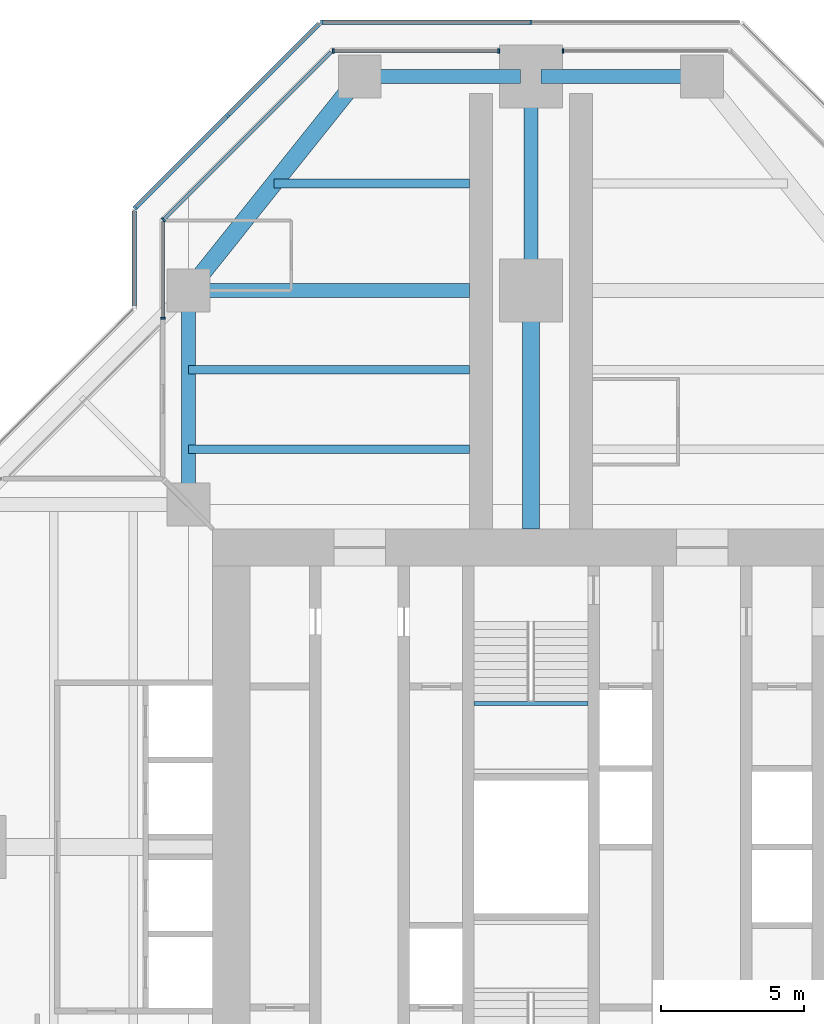
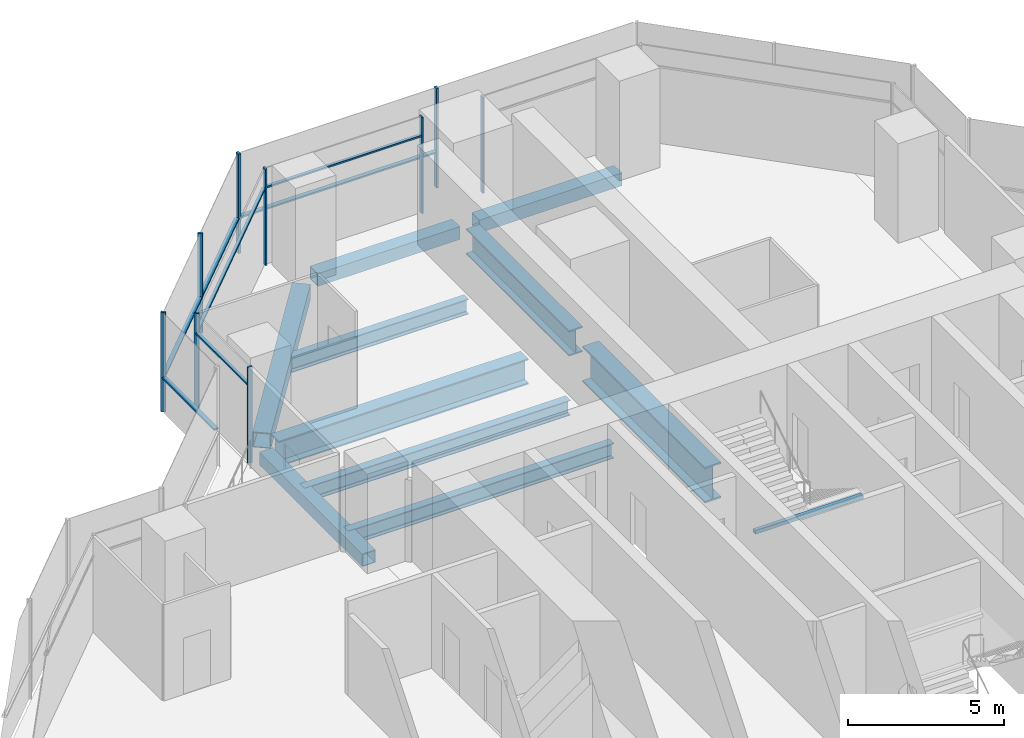
# One storey, part 7 of 17: 16 members, 11 beams, 7 elements without a shape of their own.
"""IFC4 building model written with IfcOpenShell, lengths in metres."""

from ifc_helpers import new_model, si_unit, direction, frame, origin, origin_2d, place, context, subcontext, project, spatial, rectangle, hollow_rectangle, i_section, extrude, material, material_profile, profile_set, type_object, element, aggregate, save


model = new_model("IFC4")

# Units and contexts
model_context = context("Model", 3, precision=1e-05, world=origin(), true_north=direction((0.0, 1.0)))
body_context = subcontext(model_context, "Body", "Model", "MODEL_VIEW")
ifc_project = project(units=[si_unit("LENGTHUNIT", "METRE"), si_unit("AREAUNIT", "SQUARE_METRE"), si_unit("VOLUMEUNIT", "CUBIC_METRE"), si_unit("PLANEANGLEUNIT", "RADIAN"), si_unit("MASSUNIT", "GRAM", prefix="KILO")], contexts=[model_context])

# Site, building, storey
site_placement = place(None, origin())
site = spatial("IfcSite", under=ifc_project, at=site_placement, CompositionType="ELEMENT")
building_placement = place(site_placement, origin())
building = spatial("IfcBuilding", under=site, at=building_placement, Name="Mizan Broadcast Tower", CompositionType="ELEMENT")
storey_placement = place(building_placement, frame((0.0, 0.0, 208.800048828125)))
storey = spatial("IfcBuildingStorey", under=building, at=storey_placement, Name="L48", CompositionType="ELEMENT", Elevation=208.800048828125)

# Beams
ifc_material_1 = material(Name="Steel S355", Category="steel")
ifc_material_profile_1 = material_profile(ifc_material_1, hollow_rectangle(XDim=0.5, YDim=0.5, WallThickness=0.030029296875, at=origin_2d()), Name="BOX 500x500x30")
ifc_profile_set_1 = profile_set([ifc_material_profile_1], Name="Steel S355")
beam_type_1 = type_object("IfcBeamType", Name="EDGE BEAM BOX 500x500x30", PredefinedType="SPANDREL", material=ifc_profile_set_1)
beam_1_placement = place(storey_placement, frame((5.639892578125, 27.0, -0.380126953125), z_axis=(-1.0, 0.0, 0.0), x_axis=(0.0, -1.0, 0.0)))
element("IfcBeam", 1, at=beam_1_placement, inside=storey, type_object=beam_type_1, Name="Edge beam BOX 500x500x30 L48 north arm", PredefinedType="SPANDREL", context=body_context, shape_type="SweptSolid", body=[
    extrude(hollow_rectangle(XDim=0.5, YDim=0.5, WallThickness=0.030029296875, at=origin_2d()), origin(), (0.0, 0.0, 1.0), 5.27978515625),
])
beam_2_placement = place(storey_placement, frame((-12.0, 12.449951171875, -0.380126953125), z_axis=(0.0, 1.0, 0.0), x_axis=(-1.0, 0.0, 0.0)))
element("IfcBeam", 2, at=beam_2_placement, inside=storey, type_object=beam_type_1, Name="Edge beam BOX 500x500x30 L48 north arm", PredefinedType="SPANDREL", context=body_context, shape_type="SweptSolid", body=[
    extrude(hollow_rectangle(XDim=0.5, YDim=0.5, WallThickness=0.030029296875, at=origin_2d()), origin(), (0.0, 0.0, 1.0), 6.60009765625),
])
beam_3_placement = place(storey_placement, frame((-5.639892578125, 27.0, -0.380126953125), z_axis=(1.0, 0.0, 0.0), x_axis=(0.0, 1.0, 0.0)))
element("IfcBeam", 3, at=beam_3_placement, inside=storey, type_object=beam_type_1, Name="Edge beam BOX 500x500x30 L48 north arm", PredefinedType="SPANDREL", context=body_context, shape_type="SweptSolid", body=[
    extrude(hollow_rectangle(XDim=0.5, YDim=0.5, WallThickness=0.030029296875, at=origin_2d()), origin(), (0.0, 0.0, 1.0), 5.27978515625),
])
ifc_material_2 = material(Name="Steel S355", Category="steel")
ifc_material_profile_2 = material_profile(ifc_material_2, hollow_rectangle(XDim=0.60009765625, YDim=0.60009765625, WallThickness=0.030029296875, at=origin_2d()), Name="BOX 600x600x30")
ifc_profile_set_2 = profile_set([ifc_material_profile_2], Name="Steel S355")
beam_type_2 = type_object("IfcBeamType", Name="EDGE BEAM BOX 600x600x30", PredefinedType="SPANDREL", material=ifc_profile_set_2)
beam_4_placement = place(storey_placement, frame((-11.639892578125, 19.949951171875, -0.429931640625), z_axis=(0.624673911726, 0.780885717636, 0.0), x_axis=(-0.780885717636, 0.624673911726, 0.0)))
element("IfcBeam", 4, at=beam_4_placement, inside=storey, type_object=beam_type_2, Name="Edge beam BOX 600x600x30 L48 north arm", PredefinedType="SPANDREL", context=body_context, shape_type="SweptSolid", body=[
    extrude(hollow_rectangle(XDim=0.60009765625, YDim=0.60009765625, WallThickness=0.030029296875, at=origin_2d()), origin(), (0.0, 0.0, 1.0), 8.4521484375),
])
ifc_material_3 = material(Name="Steel S460", Category="steel")
ifc_material_profile_3 = material_profile(ifc_material_3, i_section(OverallWidth=0.5, OverallDepth=1.0, WebThickness=0.02490234375, FlangeThickness=0.050048828125, at=origin_2d()), Name="WPG 1000x500")
ifc_profile_set_3 = profile_set([ifc_material_profile_3], Name="Steel S460")
beam_type_3 = type_object("IfcBeamType", Name="GIRDER WPG 1000x500", PredefinedType="BEAM", material=ifc_profile_set_3)
beam_5_placement = place(storey_placement, frame((0.0, 19.949951171875, -0.630126953125), z_axis=(0.0, 1.0, 0.0), x_axis=(-1.0, 0.0, 0.0)))
element("IfcBeam", 5, at=beam_5_placement, inside=storey, type_object=beam_type_3, Name="Girder WPG 1000x500 L48 north arm", PredefinedType="BEAM", context=body_context, shape_type="SweptSolid", body=[
    extrude(i_section(OverallWidth=0.5, OverallDepth=1.0, WebThickness=0.02490234375, FlangeThickness=0.050048828125, at=origin_2d()), origin(), (0.0, 0.0, 1.0), 6.60009765625),
])
beam_6_placement = place(storey_placement, frame((-11.408935546875, 19.5, -0.630126953125), z_axis=(1.0, 0.0, 0.0), x_axis=(0.0, 1.0, 0.0)))
element("IfcBeam", 6, at=beam_6_placement, inside=storey, type_object=beam_type_3, Name="Girder WPG 1000x500 L48 north arm", PredefinedType="BEAM", context=body_context, shape_type="SweptSolid", body=[
    extrude(i_section(OverallWidth=0.5, OverallDepth=1.0, WebThickness=0.02490234375, FlangeThickness=0.050048828125, at=origin_2d()), origin(), (0.0, 0.0, 1.0), 9.259033203125),
])
ifc_material_4 = material(Name="Steel S460", Category="steel")
ifc_material_profile_4 = material_profile(ifc_material_4, i_section(OverallWidth=0.60009765625, OverallDepth=1.39990234375, WebThickness=0.02490234375, FlangeThickness=0.06005859375, at=origin_2d()), Name="WPG 1400x600")
ifc_profile_set_4 = profile_set([ifc_material_profile_4], Name="Steel S460")
beam_type_4 = type_object("IfcBeamType", Name="GIRDER WPG 1400x600", PredefinedType="BEAM", material=ifc_profile_set_4)
beam_7_placement = place(storey_placement, frame((0.0, 11.14990234375, -0.830078125), z_axis=(0.0, 1.0, 0.0), x_axis=(-1.0, 0.0, 0.0)))
element("IfcBeam", 7, at=beam_7_placement, inside=storey, type_object=beam_type_4, Name="Girder WPG 1400x600 L48 north arm", PredefinedType="BEAM", context=body_context, shape_type="SweptSolid", body=[
    extrude(i_section(OverallWidth=0.60009765625, OverallDepth=1.39990234375, WebThickness=0.02490234375, FlangeThickness=0.06005859375, at=origin_2d()), origin(), (0.0, 0.0, 1.0), 7.84912109375),
])

# Curtain wall, member
ifc_material_5 = material(Name="Aluminium framed glazing", Category="aluminium")
curtain_wall_type_1 = type_object("IfcCurtainWallType", Name="INNER SKIN HIGH ZONE", PredefinedType="USERDEFINED", material=ifc_material_5)
curtain_wall_1_placement = place(storey_placement, origin())
curtain_wall_1 = element("IfcCurtainWall", 8, at=curtain_wall_1_placement, inside=storey, type_object=curtain_wall_type_1, Name="Inner skin high zone L48 N end", ObjectType="INNER SKIN HIGH ZONE", PredefinedType="USERDEFINED")
ifc_material_6 = material(Name="Aluminium, pale anodised", Category="aluminium")
ifc_material_profile_5 = material_profile(ifc_material_6, rectangle(XDim=0.159912109375, YDim=0.06005859375, at=origin_2d()), Name="MULLION 160x60")
ifc_profile_set_5 = profile_set([ifc_material_profile_5], Name="Aluminium, pale anodised")
member_type_1 = type_object("IfcMemberType", Name="INNER SKIN MULLION 60x160", PredefinedType="MULLION", material=ifc_profile_set_5)
member_1_placement = place(storey_placement, frame((1.1298828125, 27.89990234375, 0.0), z_axis=(0.0, 0.0, 1.0), x_axis=(0.0, -1.0, 0.0)))
member_1 = element("IfcMember", 9, at=member_1_placement, type_object=member_type_1, Name="Inner skin high zone L48 N end mullion 2", PredefinedType="MULLION", context=body_context, shape_type="SweptSolid", body=[
    extrude(rectangle(XDim=0.159912109375, YDim=0.06005859375, at=origin_2d()), origin(), (0.0, 0.0, 1.0), 3.77001953125),
])
aggregate(curtain_wall_1, [member_1])

# Curtain wall, members
curtain_wall_2_placement = place(storey_placement, origin())
curtain_wall_2 = element("IfcCurtainWall", 10, at=curtain_wall_2_placement, inside=storey, type_object=curtain_wall_type_1, Name="Inner skin high zone L48 N end", ObjectType="INNER SKIN HIGH ZONE", PredefinedType="USERDEFINED")
member_2_placement = place(storey_placement, frame((-1.1298828125, 27.89990234375, 0.0), z_axis=(0.0, 0.0, 1.0), x_axis=(0.0, -1.0, 0.0)))
member_2 = element("IfcMember", 11, at=member_2_placement, type_object=member_type_1, Name="Inner skin high zone L48 N end mullion 1", PredefinedType="MULLION", context=body_context, shape_type="SweptSolid", body=[
    extrude(rectangle(XDim=0.159912109375, YDim=0.06005859375, at=origin_2d()), origin(), (0.0, 0.0, 1.0), 3.77001953125),
])
member_3_placement = place(storey_placement, frame((-6.928466796875, 27.89990234375, 0.0), z_axis=(0.0, 0.0, 1.0), x_axis=(0.0, -1.0, 0.0)))
member_3 = element("IfcMember", 12, at=member_3_placement, type_object=member_type_1, Name="Inner skin high zone L48 N end mullion 2", PredefinedType="MULLION", context=body_context, shape_type="SweptSolid", body=[
    extrude(rectangle(XDim=0.159912109375, YDim=0.06005859375, at=origin_2d()), origin(), (0.0, 0.0, 1.0), 3.77001953125),
])

# Curtain wall, member
curtain_wall_3_placement = place(storey_placement, origin())
curtain_wall_3 = element("IfcCurtainWall", 13, at=curtain_wall_3_placement, inside=storey, type_object=curtain_wall_type_1, Name="Inner skin high zone L48 N chamfer", ObjectType="INNER SKIN HIGH ZONE", PredefinedType="USERDEFINED")
member_4_placement = place(storey_placement, frame((-12.87890625, 21.979736328125, 0.0), z_axis=(0.0, 0.0, 1.0), x_axis=(0.707106781187, -0.707106781187, 0.0)))
member_4 = element("IfcMember", 14, at=member_4_placement, type_object=member_type_1, Name="Inner skin high zone L48 N chamfer mullion 2", PredefinedType="MULLION", context=body_context, shape_type="SweptSolid", body=[
    extrude(rectangle(XDim=0.159912109375, YDim=0.06005859375, at=origin_2d()), origin(), (0.0, 0.0, 1.0), 3.77001953125),
])

curtain_wall_4_placement = place(storey_placement, origin())
curtain_wall_4 = element("IfcCurtainWall", 15, at=curtain_wall_4_placement, inside=storey, type_object=curtain_wall_type_1, Name="Inner skin high zone L48 N side", ObjectType="INNER SKIN HIGH ZONE", PredefinedType="USERDEFINED")
member_5_placement = place(storey_placement, frame((-12.89990234375, 18.530029296875, 0.0), z_axis=(0.0, 0.0, 1.0), x_axis=(1.0, 0.0, 0.0)))
member_5 = element("IfcMember", 16, at=member_5_placement, type_object=member_type_1, Name="Inner skin high zone L48 N side mullion 2", PredefinedType="MULLION", context=body_context, shape_type="SweptSolid", body=[
    extrude(rectangle(XDim=0.159912109375, YDim=0.06005859375, at=origin_2d()), origin(), (0.0, 0.0, 1.0), 3.77001953125),
])

# Member
ifc_material_7 = material(Name="Aluminium, pale anodised", Category="aluminium")
ifc_material_profile_6 = material_profile(ifc_material_7, rectangle(XDim=0.1201171875, YDim=0.06005859375, at=origin_2d()), Name="TRANSOM 120x60")
ifc_profile_set_6 = profile_set([ifc_material_profile_6], Name="Aluminium, pale anodised")
member_type_2 = type_object("IfcMemberType", Name="INNER SKIN TRANSOM 60x120", PredefinedType="USERDEFINED", material=ifc_profile_set_6)
member_6_placement = place(storey_placement, frame((-1.159912109375, 27.89990234375, 3.030029296875), z_axis=(-1.0, 0.0, 0.0), x_axis=(0.0, -1.0, 0.0)))
member_6 = element("IfcMember", 17, at=member_6_placement, type_object=member_type_2, Name="Inner skin high zone L48 N end transom 1.1", ObjectType="TRANSOM", PredefinedType="USERDEFINED", context=body_context, shape_type="SweptSolid", body=[
    extrude(rectangle(XDim=0.1201171875, YDim=0.06005859375, at=origin_2d()), origin(), (0.0, 0.0, 1.0), 5.73876953125),
])

aggregate(curtain_wall_2, [member_2, member_3, member_6])

member_7_placement = place(storey_placement, frame((-7.0009765625, 27.857666015625, 3.030029296875), z_axis=(-0.707106781187, -0.707106781187, 0.0), x_axis=(0.707106781187, -0.707106781187, 0.0)))
member_7 = element("IfcMember", 18, at=member_7_placement, type_object=member_type_2, Name="Inner skin high zone L48 N chamfer transom 1.1", ObjectType="TRANSOM", PredefinedType="USERDEFINED", context=body_context, shape_type="SweptSolid", body=[
    extrude(rectangle(XDim=0.1201171875, YDim=0.06005859375, at=origin_2d()), origin(), (0.0, 0.0, 1.0), 8.28271484375),
])

aggregate(curtain_wall_3, [member_4, member_7])

member_8_placement = place(storey_placement, frame((-12.89990234375, 21.898681640625, 3.030029296875), z_axis=(0.0, -1.0, 0.0), x_axis=(1.0, 0.0, 0.0)))
member_8 = element("IfcMember", 19, at=member_8_placement, type_object=member_type_2, Name="Inner skin high zone L48 N side transom 1.1", ObjectType="TRANSOM", PredefinedType="USERDEFINED", context=body_context, shape_type="SweptSolid", body=[
    extrude(rectangle(XDim=0.1201171875, YDim=0.06005859375, at=origin_2d()), origin(), (0.0, 0.0, 1.0), 3.338623046875),
])

aggregate(curtain_wall_4, [member_5, member_8])

# Beam
ifc_material_8 = material(Name="Steel S355", Category="steel")
ifc_material_profile_7 = material_profile(ifc_material_8, hollow_rectangle(XDim=0.14990234375, YDim=0.14990234375, WallThickness=0.008056640625, InnerFilletRadius=0.008056640625, OuterFilletRadius=0.011962890625, at=origin_2d()), Name="SHS 150x150x8")
ifc_profile_set_7 = profile_set([ifc_material_profile_7], Name="Steel S355")
beam_type_5 = type_object("IfcBeamType", Name="LANDING TRIMMER SHS 150x150x8", PredefinedType="BEAM", material=ifc_profile_set_7)
beam_8_placement = place(storey_placement, frame((2.0, 5.02490234375, 1.675048828125), z_axis=(-1.0, 0.0, 0.0), x_axis=(0.0, -1.0, 0.0)))
element("IfcBeam", 20, at=beam_8_placement, inside=storey, type_object=beam_type_5, Name="Stair B landing trimmer L48", PredefinedType="BEAM", context=body_context, shape_type="SweptSolid", body=[
    extrude(hollow_rectangle(XDim=0.14990234375, YDim=0.14990234375, WallThickness=0.008056640625, InnerFilletRadius=0.008056640625, OuterFilletRadius=0.011962890625, at=origin_2d()), origin(), (0.0, 0.0, 1.0), 4.0),
])

# Curtain wall, members
ifc_material_9 = material(Name="Aluminium framed glazing", Category="aluminium")
curtain_wall_type_2 = type_object("IfcCurtainWallType", Name="OUTER SKIN", PredefinedType="USERDEFINED", material=ifc_material_9)
curtain_wall_5_placement = place(storey_placement, origin())
curtain_wall_5 = element("IfcCurtainWall", 21, at=curtain_wall_5_placement, inside=storey, type_object=curtain_wall_type_2, Name="Outer skin L48 N end", ObjectType="OUTER SKIN", PredefinedType="USERDEFINED")
ifc_material_10 = material(Name="Aluminium, pale anodised", Category="aluminium")
ifc_material_profile_8 = material_profile(ifc_material_10, rectangle(XDim=0.159912109375, YDim=0.080078125, at=origin_2d()), Name="MULLION 160x80")
ifc_profile_set_8 = profile_set([ifc_material_profile_8], Name="Aluminium, pale anodised")
member_type_3 = type_object("IfcMemberType", Name="OUTER SKIN MULLION 80x160", PredefinedType="MULLION", material=ifc_profile_set_8)
member_9_placement = place(storey_placement, frame((0.0, 28.89990234375, 0.0), z_axis=(0.0, 0.0, 1.0), x_axis=(0.0, -1.0, 0.0)))
member_9 = element("IfcMember", 22, at=member_9_placement, type_object=member_type_3, Name="Outer skin L48 N end mullion 2", PredefinedType="MULLION", context=body_context, shape_type="SweptSolid", body=[
    extrude(rectangle(XDim=0.159912109375, YDim=0.080078125, at=origin_2d()), origin(), (0.0, 0.0, 1.0), 3.89990234375),
])
member_10_placement = place(storey_placement, frame((-7.332763671875, 28.89990234375, 0.0), z_axis=(0.0, 0.0, 1.0), x_axis=(0.0, -1.0, 0.0)))
member_10 = element("IfcMember", 23, at=member_10_placement, type_object=member_type_3, Name="Outer skin L48 N end mullion 3", PredefinedType="MULLION", context=body_context, shape_type="SweptSolid", body=[
    extrude(rectangle(XDim=0.159912109375, YDim=0.080078125, at=origin_2d()), origin(), (0.0, 0.0, 1.0), 3.89990234375),
])

curtain_wall_6_placement = place(storey_placement, origin())
curtain_wall_6 = element("IfcCurtainWall", 24, at=curtain_wall_6_placement, inside=storey, type_object=curtain_wall_type_2, Name="Outer skin L48 N chamfer", ObjectType="OUTER SKIN", PredefinedType="USERDEFINED")
member_11_placement = place(storey_placement, frame((-10.636474609375, 25.636474609375, 0.0), z_axis=(0.0, 0.0, 1.0), x_axis=(0.707106781187, -0.707106781187, 0.0)))
member_11 = element("IfcMember", 25, at=member_11_placement, type_object=member_type_3, Name="Outer skin L48 N chamfer mullion 2", PredefinedType="MULLION", context=body_context, shape_type="SweptSolid", body=[
    extrude(rectangle(XDim=0.159912109375, YDim=0.080078125, at=origin_2d()), origin(), (0.0, 0.0, 1.0), 3.89990234375),
])
member_12_placement = place(storey_placement, frame((-13.871826171875, 22.401123046875, 0.0), z_axis=(0.0, 0.0, 1.0), x_axis=(0.707106781187, -0.707106781187, 0.0)))
member_12 = element("IfcMember", 26, at=member_12_placement, type_object=member_type_3, Name="Outer skin L48 N chamfer mullion 3", PredefinedType="MULLION", context=body_context, shape_type="SweptSolid", body=[
    extrude(rectangle(XDim=0.159912109375, YDim=0.080078125, at=origin_2d()), origin(), (0.0, 0.0, 1.0), 3.89990234375),
])

# Member
ifc_material_11 = material(Name="Aluminium, pale anodised", Category="aluminium")
ifc_material_profile_9 = material_profile(ifc_material_11, rectangle(XDim=0.159912109375, YDim=0.06005859375, at=origin_2d()), Name="TRANSOM 160x60")
ifc_profile_set_9 = profile_set([ifc_material_profile_9], Name="Aluminium, pale anodised")
member_type_4 = type_object("IfcMemberType", Name="OUTER SKIN TRANSOM 60x160", PredefinedType="USERDEFINED", material=ifc_profile_set_9)
member_13_placement = place(storey_placement, frame((-0.0400390625, 28.89990234375, 1.39990234375), z_axis=(-1.0, 0.0, 0.0), x_axis=(0.0, -1.0, 0.0)))
member_13 = element("IfcMember", 27, at=member_13_placement, type_object=member_type_4, Name="Outer skin L48 N end transom 2.1", ObjectType="TRANSOM", PredefinedType="USERDEFINED", context=body_context, shape_type="SweptSolid", body=[
    extrude(rectangle(XDim=0.159912109375, YDim=0.06005859375, at=origin_2d()), origin(), (0.0, 0.0, 1.0), 7.252685546875),
])

aggregate(curtain_wall_5, [member_9, member_10, member_13])

member_14_placement = place(storey_placement, frame((-7.429443359375, 28.843505859375, 1.39990234375), z_axis=(-0.707106781187, -0.707106781187, 0.0), x_axis=(0.707106781187, -0.707106781187, 0.0)))
member_14 = element("IfcMember", 28, at=member_14_placement, type_object=member_type_4, Name="Outer skin L48 N chamfer transom 1.1", ObjectType="TRANSOM", PredefinedType="USERDEFINED", context=body_context, shape_type="SweptSolid", body=[
    extrude(rectangle(XDim=0.159912109375, YDim=0.06005859375, at=origin_2d()), origin(), (0.0, 0.0, 1.0), 4.495361328125),
])

member_15_placement = place(storey_placement, frame((-10.664794921875, 25.608154296875, 1.39990234375), z_axis=(-0.707106781187, -0.707106781187, 0.0), x_axis=(0.707106781187, -0.707106781187, 0.0)))
member_15 = element("IfcMember", 29, at=member_15_placement, type_object=member_type_4, Name="Outer skin L48 N chamfer transom 2.1", ObjectType="TRANSOM", PredefinedType="USERDEFINED", context=body_context, shape_type="SweptSolid", body=[
    extrude(rectangle(XDim=0.159912109375, YDim=0.06005859375, at=origin_2d()), origin(), (0.0, 0.0, 1.0), 4.495361328125),
])

aggregate(curtain_wall_6, [member_11, member_12, member_14, member_15])

# Curtain wall, member
curtain_wall_7_placement = place(storey_placement, origin())
curtain_wall_7 = element("IfcCurtainWall", 30, at=curtain_wall_7_placement, inside=storey, type_object=curtain_wall_type_2, Name="Outer skin L48 N side", ObjectType="OUTER SKIN", PredefinedType="USERDEFINED")
member_16_placement = place(storey_placement, frame((-13.89990234375, 22.292724609375, 1.39990234375), z_axis=(0.0, -1.0, 0.0), x_axis=(1.0, 0.0, 0.0)))
member_16 = element("IfcMember", 31, at=member_16_placement, type_object=member_type_4, Name="Outer skin L48 N side transom 1.1", ObjectType="TRANSOM", PredefinedType="USERDEFINED", context=body_context, shape_type="SweptSolid", body=[
    extrude(rectangle(XDim=0.159912109375, YDim=0.06005859375, at=origin_2d()), origin(), (0.0, 0.0, 1.0), 3.33984375),
])
aggregate(curtain_wall_7, [member_16])

# Beams
ifc_material_12 = material(Name="Steel S355", Category="steel")
ifc_material_profile_10 = material_profile(ifc_material_12, i_section(OverallWidth=0.300048828125, OverallDepth=0.590087890625, WebThickness=0.012939453125, FlangeThickness=0.02490234375, FilletRadius=0.027099609375, at=origin_2d()), Name="HEA 600")
ifc_profile_set_10 = profile_set([ifc_material_profile_10], Name="Steel S355")
beam_type_6 = type_object("IfcBeamType", Name="SECONDARY BEAM HEA 600", PredefinedType="JOIST", material=ifc_profile_set_10)
for number, where, z_axis, x_axis, name in (
    (32, (-12.0, 13.933349609375, -0.425048828125), (1.0, 0.0, 0.0), (0.0, 1.0, 0.0), "Secondary beam HEA 600 L48 north arm"),
    (33, (-12.0, 16.716552734375, -0.425048828125), (1.0, 0.0, 0.0), (0.0, 1.0, 0.0), "Secondary beam HEA 600 L48 north arm"),
):
    element("IfcBeam", number, at=place(storey_placement, frame(where, z_axis=z_axis, x_axis=x_axis)), inside=storey, type_object=beam_type_6, Name=name, PredefinedType="JOIST", context=body_context, shape_type="SweptSolid", body=[
        extrude(i_section(OverallWidth=0.300048828125, OverallDepth=0.590087890625, WebThickness=0.012939453125, FlangeThickness=0.02490234375, FilletRadius=0.027099609375, at=origin_2d()), origin(), (0.0, 0.0, 1.0), 9.85009765625),
    ])
beam_9_placement = place(storey_placement, frame((-9.0, 23.25, -0.425048828125), z_axis=(1.0, 0.0, 0.0), x_axis=(0.0, 1.0, 0.0)))
element("IfcBeam", 34, at=beam_9_placement, inside=storey, type_object=beam_type_6, Name="Secondary beam HEA 600 L48 north arm", PredefinedType="JOIST", context=body_context, shape_type="SweptSolid", body=[
    extrude(i_section(OverallWidth=0.300048828125, OverallDepth=0.590087890625, WebThickness=0.012939453125, FlangeThickness=0.02490234375, FilletRadius=0.027099609375, at=origin_2d()), origin(), (0.0, 0.0, 1.0), 6.85009765625),
])

save(model, "model.ifc")
